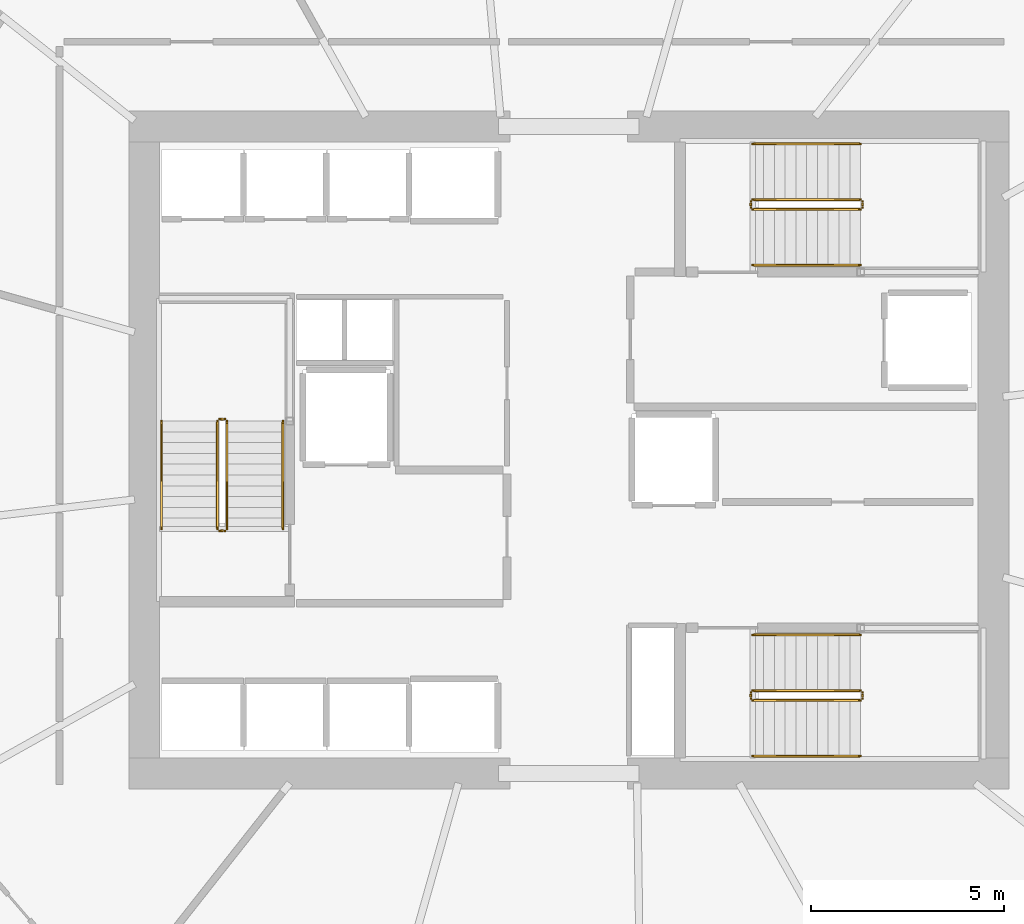
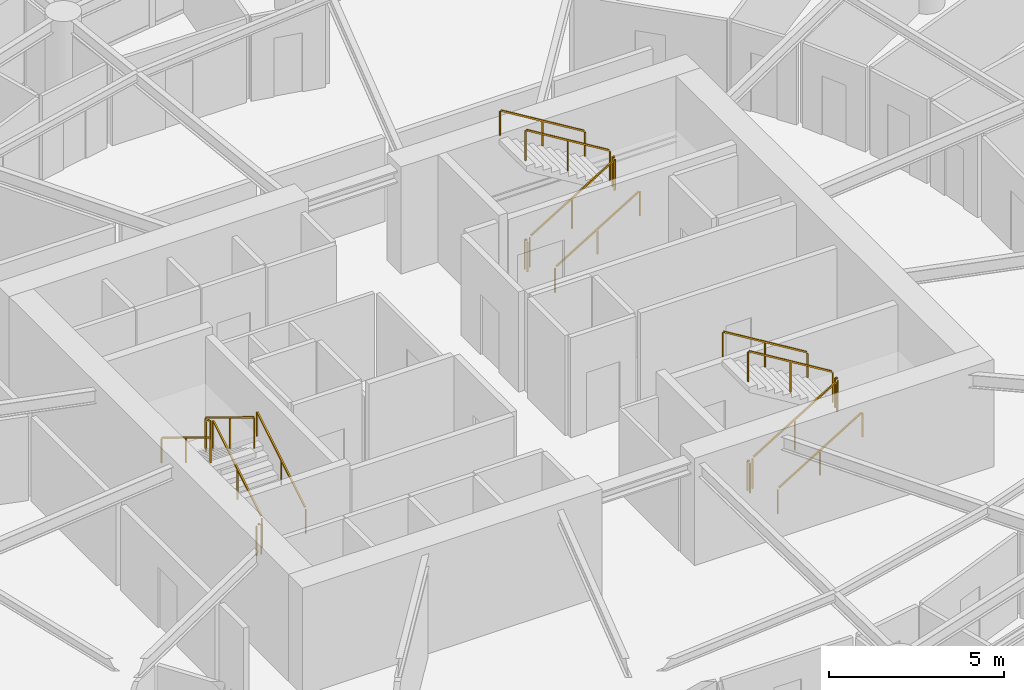
# One storey, part 17 of 17: 18 railings.
"""IFC4 building model written with IfcOpenShell, lengths in metres."""

from ifc_helpers import new_model, si_unit, direction, frame, origin, origin_2d, place, context, subcontext, project, spatial, rectangle, extrude, material, type_object, element, save


model = new_model("IFC4")

# Units and contexts
model_context = context("Model", 3, precision=1e-05, world=origin(), true_north=direction((0.0, 1.0)))
body_context = subcontext(model_context, "Body", "Model", "MODEL_VIEW")
ifc_project = project(units=[si_unit("LENGTHUNIT", "METRE"), si_unit("AREAUNIT", "SQUARE_METRE"), si_unit("VOLUMEUNIT", "CUBIC_METRE"), si_unit("PLANEANGLEUNIT", "RADIAN"), si_unit("MASSUNIT", "GRAM", prefix="KILO")], contexts=[model_context])

# Site, building, storey
site_placement = place(None, origin())
site = spatial("IfcSite", under=ifc_project, at=site_placement, CompositionType="ELEMENT")
building_placement = place(site_placement, origin())
building = spatial("IfcBuilding", under=site, at=building_placement, Name="Kazma Halo Residences", CompositionType="ELEMENT")
storey_placement = place(building_placement, frame((0.0, 0.0, 127.800048828125)))
storey = spatial("IfcBuildingStorey", under=building, at=storey_placement, Name="L31", CompositionType="ELEMENT", Elevation=127.800048828125)

# Railings
ifc_material_1 = material(Name="Painted Steel S355", Category="steel")
railing_type_1 = type_object("IfcRailingType", Name="RLG-STAIR-GRD-1100", PredefinedType="GUARDRAIL", material=ifc_material_1)
railing_1_placement = place(storey_placement, frame((39.550048828125, 39.949951171875, 0.17041015625)))
element("IfcRailing", 1, at=railing_1_placement, inside=storey, type_object=railing_type_1, Name="L31 ST-01 stair guard 1", PredefinedType="GUARDRAIL", context=body_context, shape_type="SweptSolid", body=[
    extrude(rectangle(XDim=0.050048828125, YDim=0.050048828125, at=origin_2d()), frame((0.0, 0.036376953125, 1.09716796875), z_axis=(0.0, 0.854169791009, 0.51999420009), x_axis=(-1.0, 0.0, 0.0)), (0.0, 0.0, 1.0), 3.193115234375),
    extrude(rectangle(XDim=0.0400390625, YDim=0.0400390625, at=origin_2d()), origin(), (0.0, 0.0, 1.0), 1.0380859375),
    extrude(rectangle(XDim=0.0400390625, YDim=0.0400390625, at=origin_2d()), frame((0.0, 1.39990234375, 0.852294921875)), (0.0, 0.0, 1.0), 1.0380859375),
    extrude(rectangle(XDim=0.0400390625, YDim=0.0400390625, at=origin_2d()), frame((0.0, 2.800048828125, 1.70458984375)), (0.0, 0.0, 1.0), 1.0380859375),
])
railing_2_placement = place(storey_placement, frame((39.5, 42.800048828125, 1.875)))
element("IfcRailing", 2, at=railing_2_placement, inside=storey, type_object=railing_type_1, Name="L31 ST-01 stair guard 2", PredefinedType="GUARDRAIL", context=body_context, shape_type="SweptSolid", body=[
    extrude(rectangle(XDim=0.050048828125, YDim=0.050048828125, at=origin_2d()), frame((-0.04248046875, 0.0, 1.0751953125), z_axis=(-1.0, 0.0, 0.0), x_axis=(0.0, -1.0, 0.0)), (0.0, 0.0, 1.0), 0.06494140625),
    extrude(rectangle(XDim=0.0400390625, YDim=0.0400390625, at=origin_2d()), origin(), (0.0, 0.0, 1.0), 1.0380859375),
    extrude(rectangle(XDim=0.0400390625, YDim=0.0400390625, at=origin_2d()), frame((-0.14990234375, 0.0, 0.0)), (0.0, 0.0, 1.0), 1.0380859375),
])
railing_3_placement = place(storey_placement, frame((39.300048828125, 42.75, 2.04541015625)))
element("IfcRailing", 3, at=railing_3_placement, inside=storey, type_object=railing_type_1, Name="L31 ST-01 stair guard 3", PredefinedType="GUARDRAIL", context=body_context, shape_type="SweptSolid", body=[
    extrude(rectangle(XDim=0.050048828125, YDim=0.050048828125, at=origin_2d()), frame((0.0, -0.036376953125, 1.09716796875), z_axis=(0.0, -0.854169791009, 0.51999420009), x_axis=(1.0, 0.0, 0.0)), (0.0, 0.0, 1.0), 3.193115234375),
    extrude(rectangle(XDim=0.0400390625, YDim=0.0400390625, at=origin_2d()), origin(), (0.0, 0.0, 1.0), 1.0380859375),
    extrude(rectangle(XDim=0.0400390625, YDim=0.0400390625, at=origin_2d()), frame((0.0, -1.39990234375, 0.852294921875)), (0.0, 0.0, 1.0), 1.0380859375),
    extrude(rectangle(XDim=0.0400390625, YDim=0.0400390625, at=origin_2d()), frame((0.0, -2.800048828125, 1.70458984375)), (0.0, 0.0, 1.0), 1.0380859375),
])
railing_4_placement = place(storey_placement, frame((39.5, 39.89990234375, 0.0)))
element("IfcRailing", 4, at=railing_4_placement, inside=storey, type_object=railing_type_1, Name="L31 ST-01 stair guard 4", PredefinedType="GUARDRAIL", context=body_context, shape_type="SweptSolid", body=[
    extrude(rectangle(XDim=0.050048828125, YDim=0.050048828125, at=origin_2d()), frame((-0.04248046875, 0.0, 1.0751953125), z_axis=(-1.0, 0.0, 0.0), x_axis=(0.0, -1.0, 0.0)), (0.0, 0.0, 1.0), 0.06494140625),
    extrude(rectangle(XDim=0.0400390625, YDim=0.0400390625, at=origin_2d()), origin(), (0.0, 0.0, 1.0), 1.0380859375),
    extrude(rectangle(XDim=0.0400390625, YDim=0.0400390625, at=origin_2d()), frame((-0.14990234375, 0.0, 0.0)), (0.0, 0.0, 1.0), 1.0380859375),
])
railing_5_placement = place(storey_placement, frame((53.199951171875, 48.25, 0.17041015625)))
element("IfcRailing", 5, at=railing_5_placement, inside=storey, type_object=railing_type_1, Name="L31 ST-02 stair guard 1", PredefinedType="GUARDRAIL", context=body_context, shape_type="SweptSolid", body=[
    extrude(rectangle(XDim=0.050048828125, YDim=0.050048828125, at=origin_2d()), frame((0.036376953125, 0.0, 1.09716796875), z_axis=(0.854169791009, 0.0, 0.51999420009), x_axis=(0.0, 1.0, 0.0)), (0.0, 0.0, 1.0), 3.193115234375),
    extrude(rectangle(XDim=0.0400390625, YDim=0.0400390625, at=origin_2d()), origin(), (0.0, 0.0, 1.0), 1.0380859375),
    extrude(rectangle(XDim=0.0400390625, YDim=0.0400390625, at=origin_2d()), frame((1.39990234375, 0.0, 0.852294921875)), (0.0, 0.0, 1.0), 1.0380859375),
    extrude(rectangle(XDim=0.0400390625, YDim=0.0400390625, at=origin_2d()), frame((2.800048828125, 0.0, 1.70458984375)), (0.0, 0.0, 1.0), 1.0380859375),
])
railing_6_placement = place(storey_placement, frame((56.050048828125, 48.300048828125, 1.875)))
element("IfcRailing", 6, at=railing_6_placement, inside=storey, type_object=railing_type_1, Name="L31 ST-02 stair guard 2", PredefinedType="GUARDRAIL", context=body_context, shape_type="SweptSolid", body=[
    extrude(rectangle(XDim=0.050048828125, YDim=0.050048828125, at=origin_2d()), frame((0.0, 0.04248046875, 1.0751953125), z_axis=(0.0, 1.0, 0.0), x_axis=(-1.0, 0.0, 0.0)), (0.0, 0.0, 1.0), 0.06494140625),
    extrude(rectangle(XDim=0.0400390625, YDim=0.0400390625, at=origin_2d()), origin(), (0.0, 0.0, 1.0), 1.0380859375),
    extrude(rectangle(XDim=0.0400390625, YDim=0.0400390625, at=origin_2d()), frame((0.0, 0.14990234375, 0.0)), (0.0, 0.0, 1.0), 1.0380859375),
])
railing_7_placement = place(storey_placement, frame((56.0, 48.5, 2.04541015625)))
element("IfcRailing", 7, at=railing_7_placement, inside=storey, type_object=railing_type_1, Name="L31 ST-02 stair guard 3", PredefinedType="GUARDRAIL", context=body_context, shape_type="SweptSolid", body=[
    extrude(rectangle(XDim=0.050048828125, YDim=0.050048828125, at=origin_2d()), frame((-0.036376953125, 0.0, 1.09716796875), z_axis=(-0.854169791009, 0.0, 0.51999420009), x_axis=(0.0, -1.0, 0.0)), (0.0, 0.0, 1.0), 3.193115234375),
    extrude(rectangle(XDim=0.0400390625, YDim=0.0400390625, at=origin_2d()), origin(), (0.0, 0.0, 1.0), 1.0380859375),
    extrude(rectangle(XDim=0.0400390625, YDim=0.0400390625, at=origin_2d()), frame((-1.39990234375, 0.0, 0.852294921875)), (0.0, 0.0, 1.0), 1.0380859375),
    extrude(rectangle(XDim=0.0400390625, YDim=0.0400390625, at=origin_2d()), frame((-2.800048828125, 0.0, 1.70458984375)), (0.0, 0.0, 1.0), 1.0380859375),
])
railing_8_placement = place(storey_placement, frame((53.14990234375, 48.300048828125, 0.0)))
element("IfcRailing", 8, at=railing_8_placement, inside=storey, type_object=railing_type_1, Name="L31 ST-02 stair guard 4", PredefinedType="GUARDRAIL", context=body_context, shape_type="SweptSolid", body=[
    extrude(rectangle(XDim=0.050048828125, YDim=0.050048828125, at=origin_2d()), frame((0.0, 0.04248046875, 1.0751953125), z_axis=(0.0, 1.0, 0.0), x_axis=(-1.0, 0.0, 0.0)), (0.0, 0.0, 1.0), 0.06494140625),
    extrude(rectangle(XDim=0.0400390625, YDim=0.0400390625, at=origin_2d()), origin(), (0.0, 0.0, 1.0), 1.0380859375),
    extrude(rectangle(XDim=0.0400390625, YDim=0.0400390625, at=origin_2d()), frame((0.0, 0.14990234375, 0.0)), (0.0, 0.0, 1.0), 1.0380859375),
])
railing_9_placement = place(storey_placement, frame((53.199951171875, 35.5, 0.17041015625)))
element("IfcRailing", 9, at=railing_9_placement, inside=storey, type_object=railing_type_1, Name="L31 ST-03 stair guard 1", PredefinedType="GUARDRAIL", context=body_context, shape_type="SweptSolid", body=[
    extrude(rectangle(XDim=0.050048828125, YDim=0.050048828125, at=origin_2d()), frame((0.036376953125, 0.0, 1.09716796875), z_axis=(0.854169791009, 0.0, 0.51999420009), x_axis=(0.0, 1.0, 0.0)), (0.0, 0.0, 1.0), 3.193115234375),
    extrude(rectangle(XDim=0.0400390625, YDim=0.0400390625, at=origin_2d()), origin(), (0.0, 0.0, 1.0), 1.0380859375),
    extrude(rectangle(XDim=0.0400390625, YDim=0.0400390625, at=origin_2d()), frame((1.39990234375, 0.0, 0.852294921875)), (0.0, 0.0, 1.0), 1.0380859375),
    extrude(rectangle(XDim=0.0400390625, YDim=0.0400390625, at=origin_2d()), frame((2.800048828125, 0.0, 1.70458984375)), (0.0, 0.0, 1.0), 1.0380859375),
])
railing_10_placement = place(storey_placement, frame((56.050048828125, 35.550048828125, 1.875)))
element("IfcRailing", 10, at=railing_10_placement, inside=storey, type_object=railing_type_1, Name="L31 ST-03 stair guard 2", PredefinedType="GUARDRAIL", context=body_context, shape_type="SweptSolid", body=[
    extrude(rectangle(XDim=0.050048828125, YDim=0.050048828125, at=origin_2d()), frame((0.0, 0.04248046875, 1.0751953125), z_axis=(0.0, 1.0, 0.0), x_axis=(-1.0, 0.0, 0.0)), (0.0, 0.0, 1.0), 0.06494140625),
    extrude(rectangle(XDim=0.0400390625, YDim=0.0400390625, at=origin_2d()), origin(), (0.0, 0.0, 1.0), 1.0380859375),
    extrude(rectangle(XDim=0.0400390625, YDim=0.0400390625, at=origin_2d()), frame((0.0, 0.14990234375, 0.0)), (0.0, 0.0, 1.0), 1.0380859375),
])
railing_11_placement = place(storey_placement, frame((56.0, 35.75, 2.04541015625)))
element("IfcRailing", 11, at=railing_11_placement, inside=storey, type_object=railing_type_1, Name="L31 ST-03 stair guard 3", PredefinedType="GUARDRAIL", context=body_context, shape_type="SweptSolid", body=[
    extrude(rectangle(XDim=0.050048828125, YDim=0.050048828125, at=origin_2d()), frame((-0.036376953125, 0.0, 1.09716796875), z_axis=(-0.854169791009, 0.0, 0.51999420009), x_axis=(0.0, -1.0, 0.0)), (0.0, 0.0, 1.0), 3.193115234375),
    extrude(rectangle(XDim=0.0400390625, YDim=0.0400390625, at=origin_2d()), origin(), (0.0, 0.0, 1.0), 1.0380859375),
    extrude(rectangle(XDim=0.0400390625, YDim=0.0400390625, at=origin_2d()), frame((-1.39990234375, 0.0, 0.852294921875)), (0.0, 0.0, 1.0), 1.0380859375),
    extrude(rectangle(XDim=0.0400390625, YDim=0.0400390625, at=origin_2d()), frame((-2.800048828125, 0.0, 1.70458984375)), (0.0, 0.0, 1.0), 1.0380859375),
])
railing_12_placement = place(storey_placement, frame((53.14990234375, 35.550048828125, 0.0)))
element("IfcRailing", 12, at=railing_12_placement, inside=storey, type_object=railing_type_1, Name="L31 ST-03 stair guard 4", PredefinedType="GUARDRAIL", context=body_context, shape_type="SweptSolid", body=[
    extrude(rectangle(XDim=0.050048828125, YDim=0.050048828125, at=origin_2d()), frame((0.0, 0.04248046875, 1.0751953125), z_axis=(0.0, 1.0, 0.0), x_axis=(-1.0, 0.0, 0.0)), (0.0, 0.0, 1.0), 0.06494140625),
    extrude(rectangle(XDim=0.0400390625, YDim=0.0400390625, at=origin_2d()), origin(), (0.0, 0.0, 1.0), 1.0380859375),
    extrude(rectangle(XDim=0.0400390625, YDim=0.0400390625, at=origin_2d()), frame((0.0, 0.14990234375, 0.0)), (0.0, 0.0, 1.0), 1.0380859375),
])
ifc_material_2 = material(Name="Brushed Stainless Steel", Category="steel")
railing_type_2 = type_object("IfcRailingType", Name="RLG-STAIR-HND-900", PredefinedType="HANDRAIL", material=ifc_material_2)
railing_13_placement = place(storey_placement, frame((41.0, 39.949951171875, 0.17041015625)))
element("IfcRailing", 13, at=railing_13_placement, inside=storey, type_object=railing_type_2, Name="L31 ST-01 stair handrail 1", PredefinedType="HANDRAIL", context=body_context, shape_type="SweptSolid", body=[
    extrude(rectangle(XDim=0.050048828125, YDim=0.050048828125, at=origin_2d()), frame((0.0, 0.036376953125, 0.89697265625), z_axis=(0.0, 0.854169791009, 0.51999420009), x_axis=(-1.0, 0.0, 0.0)), (0.0, 0.0, 1.0), 3.193115234375),
    extrude(rectangle(XDim=0.0400390625, YDim=0.0400390625, at=origin_2d()), origin(), (0.0, 0.0, 1.0), 0.837890625),
    extrude(rectangle(XDim=0.0400390625, YDim=0.0400390625, at=origin_2d()), frame((0.0, 1.39990234375, 0.852294921875)), (0.0, 0.0, 1.0), 0.837890625),
    extrude(rectangle(XDim=0.0400390625, YDim=0.0400390625, at=origin_2d()), frame((0.0, 2.800048828125, 1.70458984375)), (0.0, 0.0, 1.0), 0.837890625),
])
railing_14_placement = place(storey_placement, frame((37.85009765625, 42.75, 2.04541015625)))
element("IfcRailing", 14, at=railing_14_placement, inside=storey, type_object=railing_type_2, Name="L31 ST-01 stair handrail 2", PredefinedType="HANDRAIL", context=body_context, shape_type="SweptSolid", body=[
    extrude(rectangle(XDim=0.050048828125, YDim=0.050048828125, at=origin_2d()), frame((0.0, -0.036376953125, 0.89697265625), z_axis=(0.0, -0.854169791009, 0.51999420009), x_axis=(1.0, 0.0, 0.0)), (0.0, 0.0, 1.0), 3.193115234375),
    extrude(rectangle(XDim=0.0400390625, YDim=0.0400390625, at=origin_2d()), origin(), (0.0, 0.0, 1.0), 0.837890625),
    extrude(rectangle(XDim=0.0400390625, YDim=0.0400390625, at=origin_2d()), frame((0.0, -1.39990234375, 0.852294921875)), (0.0, 0.0, 1.0), 0.837890625),
    extrude(rectangle(XDim=0.0400390625, YDim=0.0400390625, at=origin_2d()), frame((0.0, -2.800048828125, 1.70458984375)), (0.0, 0.0, 1.0), 0.837890625),
])
railing_15_placement = place(storey_placement, frame((53.199951171875, 46.800048828125, 0.17041015625)))
element("IfcRailing", 15, at=railing_15_placement, inside=storey, type_object=railing_type_2, Name="L31 ST-02 stair handrail 1", PredefinedType="HANDRAIL", context=body_context, shape_type="SweptSolid", body=[
    extrude(rectangle(XDim=0.050048828125, YDim=0.050048828125, at=origin_2d()), frame((0.036376953125, 0.0, 0.89697265625), z_axis=(0.854169791009, 0.0, 0.51999420009), x_axis=(0.0, 1.0, 0.0)), (0.0, 0.0, 1.0), 3.193115234375),
    extrude(rectangle(XDim=0.0400390625, YDim=0.0400390625, at=origin_2d()), origin(), (0.0, 0.0, 1.0), 0.837890625),
    extrude(rectangle(XDim=0.0400390625, YDim=0.0400390625, at=origin_2d()), frame((1.39990234375, 0.0, 0.852294921875)), (0.0, 0.0, 1.0), 0.837890625),
    extrude(rectangle(XDim=0.0400390625, YDim=0.0400390625, at=origin_2d()), frame((2.800048828125, 0.0, 1.70458984375)), (0.0, 0.0, 1.0), 0.837890625),
])
railing_16_placement = place(storey_placement, frame((56.0, 49.949951171875, 2.04541015625)))
element("IfcRailing", 16, at=railing_16_placement, inside=storey, type_object=railing_type_2, Name="L31 ST-02 stair handrail 2", PredefinedType="HANDRAIL", context=body_context, shape_type="SweptSolid", body=[
    extrude(rectangle(XDim=0.050048828125, YDim=0.050048828125, at=origin_2d()), frame((-0.036376953125, 0.0, 0.89697265625), z_axis=(-0.854169791009, 0.0, 0.51999420009), x_axis=(0.0, -1.0, 0.0)), (0.0, 0.0, 1.0), 3.193115234375),
    extrude(rectangle(XDim=0.0400390625, YDim=0.0400390625, at=origin_2d()), origin(), (0.0, 0.0, 1.0), 0.837890625),
    extrude(rectangle(XDim=0.0400390625, YDim=0.0400390625, at=origin_2d()), frame((-1.39990234375, 0.0, 0.852294921875)), (0.0, 0.0, 1.0), 0.837890625),
    extrude(rectangle(XDim=0.0400390625, YDim=0.0400390625, at=origin_2d()), frame((-2.800048828125, 0.0, 1.70458984375)), (0.0, 0.0, 1.0), 0.837890625),
])
railing_17_placement = place(storey_placement, frame((53.199951171875, 34.050048828125, 0.17041015625)))
element("IfcRailing", 17, at=railing_17_placement, inside=storey, type_object=railing_type_2, Name="L31 ST-03 stair handrail 1", PredefinedType="HANDRAIL", context=body_context, shape_type="SweptSolid", body=[
    extrude(rectangle(XDim=0.050048828125, YDim=0.050048828125, at=origin_2d()), frame((0.036376953125, 0.0, 0.89697265625), z_axis=(0.854169791009, 0.0, 0.51999420009), x_axis=(0.0, 1.0, 0.0)), (0.0, 0.0, 1.0), 3.193115234375),
    extrude(rectangle(XDim=0.0400390625, YDim=0.0400390625, at=origin_2d()), origin(), (0.0, 0.0, 1.0), 0.837890625),
    extrude(rectangle(XDim=0.0400390625, YDim=0.0400390625, at=origin_2d()), frame((1.39990234375, 0.0, 0.852294921875)), (0.0, 0.0, 1.0), 0.837890625),
    extrude(rectangle(XDim=0.0400390625, YDim=0.0400390625, at=origin_2d()), frame((2.800048828125, 0.0, 1.70458984375)), (0.0, 0.0, 1.0), 0.837890625),
])
railing_18_placement = place(storey_placement, frame((56.0, 37.199951171875, 2.04541015625)))
element("IfcRailing", 18, at=railing_18_placement, inside=storey, type_object=railing_type_2, Name="L31 ST-03 stair handrail 2", PredefinedType="HANDRAIL", context=body_context, shape_type="SweptSolid", body=[
    extrude(rectangle(XDim=0.050048828125, YDim=0.050048828125, at=origin_2d()), frame((-0.036376953125, 0.0, 0.89697265625), z_axis=(-0.854169791009, 0.0, 0.51999420009), x_axis=(0.0, -1.0, 0.0)), (0.0, 0.0, 1.0), 3.193115234375),
    extrude(rectangle(XDim=0.0400390625, YDim=0.0400390625, at=origin_2d()), origin(), (0.0, 0.0, 1.0), 0.837890625),
    extrude(rectangle(XDim=0.0400390625, YDim=0.0400390625, at=origin_2d()), frame((-1.39990234375, 0.0, 0.852294921875)), (0.0, 0.0, 1.0), 0.837890625),
    extrude(rectangle(XDim=0.0400390625, YDim=0.0400390625, at=origin_2d()), frame((-2.800048828125, 0.0, 1.70458984375)), (0.0, 0.0, 1.0), 0.837890625),
])

save(model, "model.ifc")
